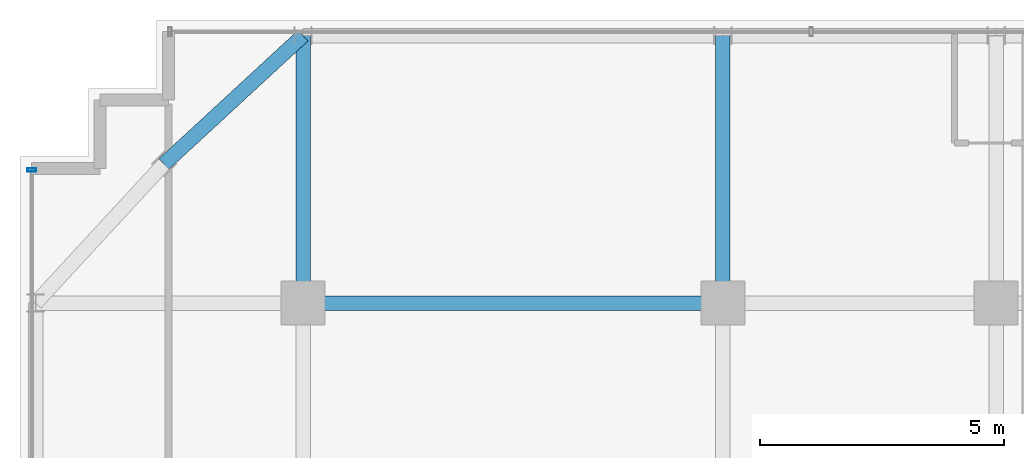
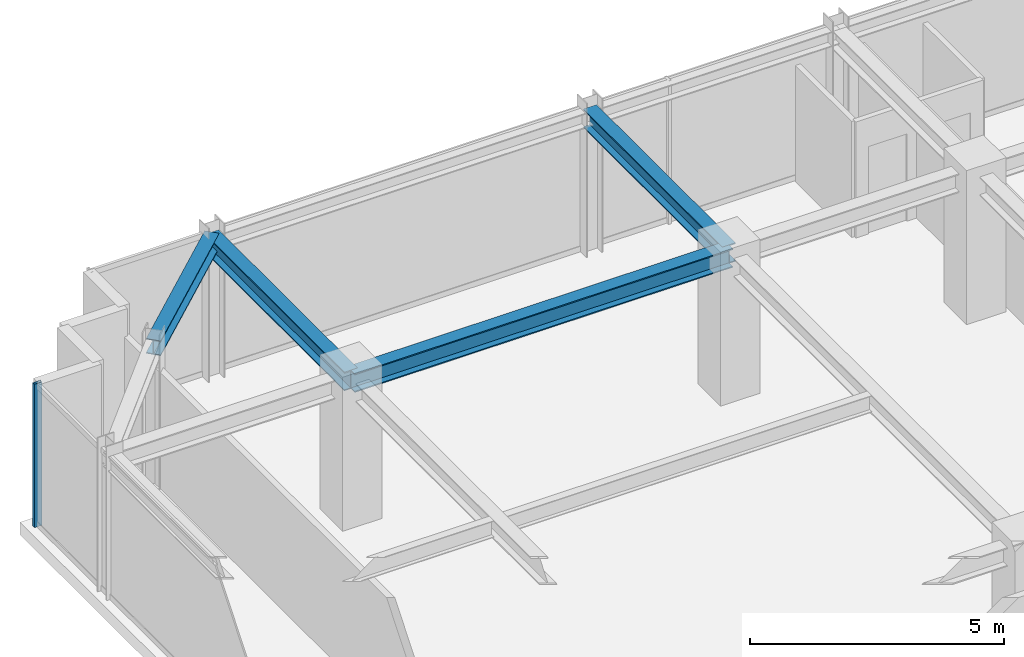
# One storey, part 17 of 32: 4 beams, 1 member, 1 element without a shape of its own.
"""IFC4 building model written with IfcOpenShell, lengths in metres."""

from ifc_helpers import new_model, si_unit, direction, frame, origin, origin_2d, place, context, subcontext, project, spatial, hollow_rectangle, i_section, extrude, source, transform, mapped, material, material_profile, profile_set, type_object, element, aggregate, save


model = new_model("IFC4")

# Units and contexts
model_context = context("Model", 3, precision=1e-05, world=origin(), true_north=direction((0.0, 1.0)))
body_context = subcontext(model_context, "Body", "Model", "MODEL_VIEW")
ifc_project = project(units=[si_unit("LENGTHUNIT", "METRE"), si_unit("AREAUNIT", "SQUARE_METRE"), si_unit("VOLUMEUNIT", "CUBIC_METRE"), si_unit("PLANEANGLEUNIT", "RADIAN"), si_unit("MASSUNIT", "GRAM", prefix="KILO")], contexts=[model_context])

# Site, building, storey
site_placement = place(None, origin())
site = spatial("IfcSite", under=ifc_project, at=site_placement, CompositionType="ELEMENT")
building_placement = place(site_placement, origin())
building = spatial("IfcBuilding", under=site, at=building_placement, Name="Nahalor Promenade Grand Hotel", CompositionType="ELEMENT")
storey_placement = place(building_placement, frame((0.0, 0.0, 285.050048828125)))
storey = spatial("IfcBuildingStorey", under=building, at=storey_placement, Name="L73", CompositionType="ELEMENT", Elevation=285.050048828125)

# Beams
ifc_material_1 = material(Name="Steel S355JR", Category="steel")
ifc_material_profile_1 = material_profile(ifc_material_1, i_section(OverallWidth=0.3, OverallDepth=0.45, WebThickness=0.014, FlangeThickness=0.026, at=origin_2d()), Name="HEB 450")
ifc_profile_set_1 = profile_set([ifc_material_profile_1], Name="Steel S355JR")
beam_type_1 = type_object("IfcBeamType", Name="Beam-Girder-HEB450", PredefinedType="BEAM", material=ifc_profile_set_1)
shared_shape_1 = source(origin(), body_context, "Body", "SweptSolid", [
    extrude(i_section(OverallWidth=0.3, OverallDepth=0.45, WebThickness=0.014, FlangeThickness=0.026, at=origin_2d()), origin(), (0.0, 0.0, 1.0), 8.60009765625),
])
beam_1_placement = place(storey_placement, frame((-17.0, 17.0, 3.224853515625), z_axis=(1.0, 0.0, 0.0), x_axis=(0.0, 1.0, 0.0)))
element("IfcBeam", 1, at=beam_1_placement, inside=storey, type_object=beam_type_1, Name="BM-L73-GX-3-1", PredefinedType="BEAM", context=body_context, shape_type="MappedRepresentation", body=[
    mapped(shared_shape_1, transform((0.0, 0.0, 0.0), scale=1.0)),
])
shared_shape_2 = source(origin(), body_context, "Body", "SweptSolid", [
    extrude(i_section(OverallWidth=0.3, OverallDepth=0.45, WebThickness=0.014, FlangeThickness=0.026, at=origin_2d()), origin(), (0.0, 0.0, 1.0), 5.47998046875),
])
for number, where, z_axis, x_axis, name in (
    (2, (-17.0, 17.0, 3.224853515625), (0.0, 1.0, 0.0), (-1.0, 0.0, 0.0), "BM-L73-GY-0-4"),
    (3, (-8.39990234375, 17.0, 3.224853515625), (0.0, 1.0, 0.0), (-1.0, 0.0, 0.0), "BM-L73-GY-1-4"),
):
    element("IfcBeam", number, at=place(storey_placement, frame(where, z_axis=z_axis, x_axis=x_axis)), inside=storey, type_object=beam_type_1, Name=name, PredefinedType="BEAM", context=body_context, shape_type="MappedRepresentation", body=[
        mapped(shared_shape_2, transform((0.0, 0.0, 0.0), scale=1.0)),
    ])
ifc_material_profile_2 = material_profile(ifc_material_1, i_section(OverallWidth=0.3, OverallDepth=0.36, WebThickness=0.0125, FlangeThickness=0.0225, at=origin_2d()), Name="HEB 360")
ifc_profile_set_2 = profile_set([ifc_material_profile_2], Name="Steel S355JR")
beam_type_2 = type_object("IfcBeamType", Name="Beam-Spandrel-HEB360", PredefinedType="SPANDREL", material=ifc_profile_set_2)
shared_shape_3 = source(origin(), body_context, "Body", "SweptSolid", [
    extrude(i_section(OverallWidth=0.3, OverallDepth=0.36, WebThickness=0.0125, FlangeThickness=0.0225, at=origin_2d()), origin(), (0.0, 0.0, 1.0), 3.878173828125),
])
beam_2_placement = place(storey_placement, frame((-17.0, 22.47998046875, 3.27001953125), z_axis=(-0.73492893846, -0.678144125843, 0.0), x_axis=(0.678144125843, -0.73492893846, 0.0)))
element("IfcBeam", 4, at=beam_2_placement, inside=storey, type_object=beam_type_2, Name="BM-L73-SPC-NW-1", PredefinedType="SPANDREL", context=body_context, shape_type="MappedRepresentation", body=[
    mapped(shared_shape_3, transform((0.0, 0.0, 0.0), scale=1.0)),
])

# Curtain wall, member
ifc_material_2 = material(Name="Anodised Bronze Aluminium EN AW-6063 T6", Category="aluminium")
curtain_wall_type = type_object("IfcCurtainWallType", Name="CW2 Typical Hotel Flush Bronze Unitised Curtain Wall", PredefinedType="USERDEFINED", material=ifc_material_2)
curtain_wall_placement = place(storey_placement, origin())
curtain_wall = element("IfcCurtainWall", 5, at=curtain_wall_placement, inside=storey, type_object=curtain_wall_type, Name="L73 Curtain Wall CW-L73-W-1", ObjectType="UNITISED_CURTAIN_WALL", PredefinedType="USERDEFINED")
ifc_material_profile_3 = material_profile(ifc_material_2, hollow_rectangle(XDim=0.065, YDim=0.18, WallThickness=0.004, at=origin_2d()), Name="CWM 65x180x4")
ifc_profile_set_3 = profile_set([ifc_material_profile_3], Name="Anodised Bronze Aluminium EN AW-6063 T6")
member_type = type_object("IfcMemberType", Name="CWM2 Typical Bronze Mullion 65x180", PredefinedType="MULLION", material=ifc_profile_set_3)
shared_shape_4 = source(origin(), body_context, "Body", "SweptSolid", [
    extrude(hollow_rectangle(XDim=0.065, YDim=0.18, WallThickness=0.004, at=origin_2d()), origin(), (0.0, 0.0, 1.0), 3.449951171875),
])
member_placement = place(storey_placement, frame((-22.56005859375, 19.7275390625, 0.0), z_axis=(0.0, 0.0, 1.0), x_axis=(0.0, 1.0, 0.0)))
member = element("IfcMember", 6, at=member_placement, type_object=member_type, Name="CW-L73-W-1 Mullion 3", PredefinedType="MULLION", context=body_context, shape_type="MappedRepresentation", body=[
    mapped(shared_shape_4, transform((0.0, 0.0, 0.0), scale=1.0)),
])
aggregate(curtain_wall, [member])

save(model, "model.ifc")
